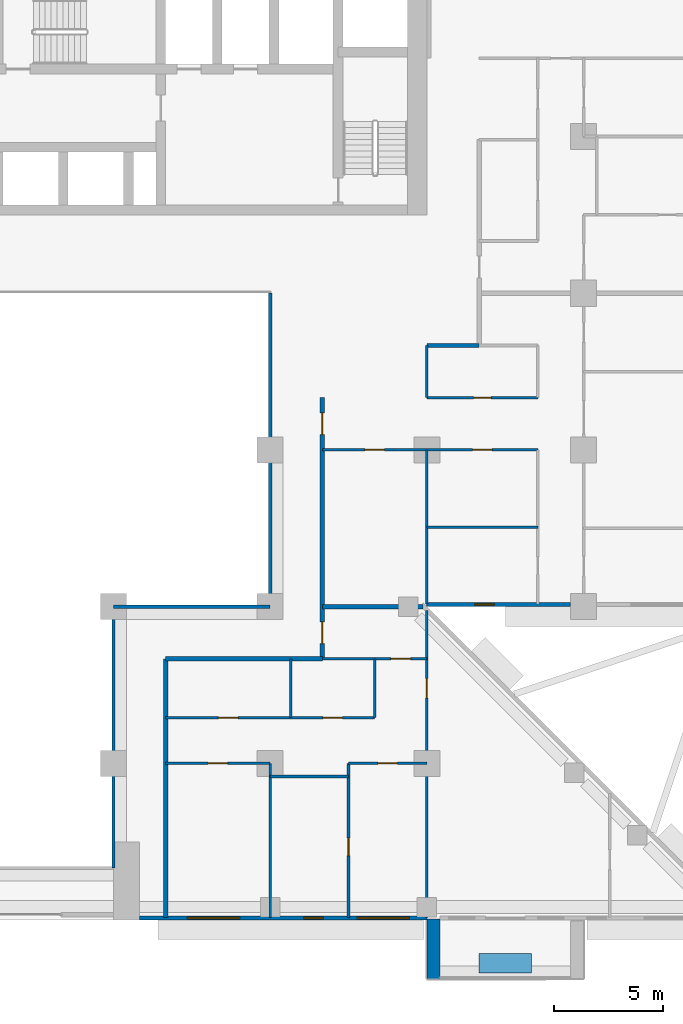
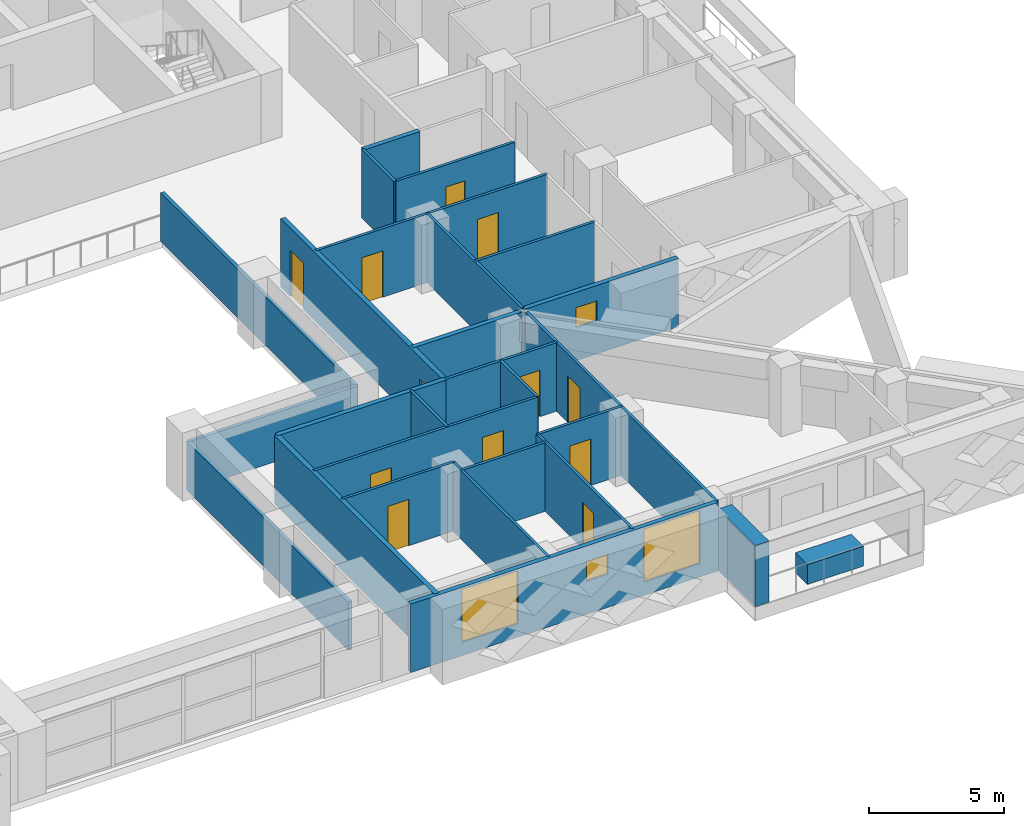
# One storey, part 8 of 17: 27 walls, 12 doors, 4 windows, 16 openings.
"""IFC4 building model written with IfcOpenShell, lengths in metres."""

from ifc_helpers import new_model, si_unit, direction, frame, frame_2d, origin, place, context, subcontext, project, spatial, rectangle, extrude, material, layer, layer_set, type_object, element, fill, save


model = new_model("IFC4")

# Units and contexts
model_context = context("Model", 3, precision=1e-05, world=origin(), true_north=direction((0.0, 1.0)))
body_context = subcontext(model_context, "Body", "Model", "MODEL_VIEW")
ifc_project = project(units=[si_unit("LENGTHUNIT", "METRE"), si_unit("AREAUNIT", "SQUARE_METRE"), si_unit("VOLUMEUNIT", "CUBIC_METRE"), si_unit("PLANEANGLEUNIT", "RADIAN"), si_unit("MASSUNIT", "GRAM", prefix="KILO")], contexts=[model_context])

# Site, building, storey
site_placement = place(None, origin())
site = spatial("IfcSite", under=ifc_project, at=site_placement, CompositionType="ELEMENT")
building_placement = place(site_placement, origin())
building = spatial("IfcBuilding", under=site, at=building_placement, Name="Saffron Iwan Residences", CompositionType="ELEMENT")
storey_placement = place(building_placement, frame((0.0, 0.0, 104.0)))
storey = spatial("IfcBuildingStorey", under=building, at=storey_placement, Name="L27", CompositionType="ELEMENT", Elevation=104.0)

# Walls
ifc_material_1 = material(Name="Fire-rated glazing", Category="glass")
ifc_layer_1 = layer(ifc_material_1, 0.14990234375)
ifc_layer_set_1 = layer_set([ifc_layer_1], Name="Fire-rated glazing")
wall_type_1 = type_object("IfcWallType", Name="Atrium glazed screen 150", PredefinedType="SOLIDWALL", material=ifc_layer_set_1)
wall_1_placement = place(storey_placement, frame((57.60009765625, 48.0, 0.0), z_axis=(0.0, 0.0, 1.0), x_axis=(1.0, 0.0, 0.0)))
element("IfcWall", 1, at=wall_1_placement, inside=storey, type_object=wall_type_1, Name="W-L27-SCREEN-h48-57.6", PredefinedType="SOLIDWALL", context=body_context, shape_type="SweptSolid", body=[
    extrude(rectangle(XDim=7.199951171875, YDim=0.14990234375, at=frame_2d((3.60009765625, 0.0))), origin(), (0.0, 0.0, 1.0), 2.199951171875),
])
wall_2_placement = place(storey_placement, frame((57.60009765625, 36.0, 0.0), z_axis=(0.0, 0.0, 1.0), x_axis=(0.0, 1.0, 0.0)))
element("IfcWall", 2, at=wall_2_placement, inside=storey, type_object=wall_type_1, Name="W-L27-SCREEN-v57.6-36", PredefinedType="SOLIDWALL", context=body_context, shape_type="SweptSolid", body=[
    extrude(rectangle(XDim=12.0, YDim=0.14990234375, at=frame_2d((6.0, 0.0))), origin(), (0.0, 0.0, 1.0), 2.199951171875),
])
wall_3_placement = place(storey_placement, frame((64.800048828125, 48.0, 0.0), z_axis=(0.0, 0.0, 1.0), x_axis=(0.0, 1.0, 0.0)))
element("IfcWall", 3, at=wall_3_placement, inside=storey, type_object=wall_type_1, Name="W-L27-SCREEN-v64.8-48", PredefinedType="SOLIDWALL", context=body_context, shape_type="SweptSolid", body=[
    extrude(rectangle(XDim=14.39990234375, YDim=0.14990234375, at=frame_2d((7.199951171875, 0.0))), origin(), (0.0, 0.0, 1.0), 2.199951171875),
])
ifc_material_2 = material(Name="Concrete C50/60 white painted", Category="concrete")
ifc_layer_2 = layer(ifc_material_2, 0.60009765625)
ifc_layer_set_2 = layer_set([ifc_layer_2], Name="Concrete C50/60 white painted")
wall_type_2 = type_object("IfcWallType", Name="BALCONY FIN 600", PredefinedType="SOLIDWALL", material=ifc_layer_set_2)
wall_4_placement = place(storey_placement, frame((72.300048828125, 33.64990234375, 0.0), z_axis=(0.0, 0.0, 1.0), x_axis=(0.0, -1.0, 0.0)))
element("IfcWall", 4, at=wall_4_placement, inside=storey, type_object=wall_type_2, Name="Balcony fin L27 11-1a", PredefinedType="SOLIDWALL", context=body_context, shape_type="SweptSolid", body=[
    extrude(rectangle(XDim=2.75, YDim=0.60009765625, at=frame_2d((1.375, 0.0))), origin(), (0.0, 0.0, 1.0), 2.77001953125),
])
ifc_material_3 = material(Name="Concrete C35/45 white painted", Category="concrete")
ifc_layer_3 = layer(ifc_material_3, 0.14990234375)
ifc_layer_set_3 = layer_set([ifc_layer_3], Name="Concrete C35/45 white painted")
wall_type_3 = type_object("IfcWallType", Name="BALCONY PLANTER", PredefinedType="SOLIDWALL", material=ifc_layer_set_3)
wall_5_placement = place(storey_placement, frame((74.39990234375, 31.625, 0.0), z_axis=(0.0, 0.0, 1.0), x_axis=(1.0, 0.0, 0.0)))
element("IfcWall", 5, at=wall_5_placement, inside=storey, type_object=wall_type_3, Name="PLANTER L27 11-1", PredefinedType="SOLIDWALL", context=body_context, shape_type="SweptSolid", body=[
    extrude(rectangle(XDim=2.400146484375, YDim=0.89990234375, at=frame_2d((1.2001953125, 0.0))), origin(), (0.0, 0.0, 1.0), 0.89990234375),
])

# Wall, opening, window
ifc_material_4 = material(Name="Concrete C40/50", Category="concrete")
ifc_layer_4 = layer(ifc_material_4, 0.199951171875)
ifc_layer_set_4 = layer_set([ifc_layer_4], Name="Concrete C40/50")
wall_type_4 = type_object("IfcWallType", Name="EXTERNAL WALL 200", PredefinedType="SOLIDWALL", material=ifc_layer_set_4)
wall_6_placement = place(storey_placement, frame((71.988525390625, 48.10009765625, 0.0), z_axis=(0.0, 0.0, 1.0), x_axis=(1.0, 0.0, 0.0)))
wall_6 = element("IfcWall", 6, at=wall_6_placement, inside=storey, type_object=wall_type_4, Name="External wall L27 F1.0", PredefinedType="SOLIDWALL", context=body_context, shape_type="SweptSolid", body=[
    extrude(rectangle(XDim=6.611572265625, YDim=0.199951171875, at=frame_2d((3.3056640625, 0.0))), origin(), (0.0, 0.0, 1.0), 3.10009765625),
])
opening_1_placement = place(wall_6_placement, frame((2.205810546875, 0.0, 1.5)))
opening_1 = element("IfcOpeningElement", 7, at=opening_1_placement, cuts=wall_6, Name="Opening W6", PredefinedType="OPENING", context=body_context, shape_type="SweptSolid", body=[
    extrude(rectangle(XDim=0.89990234375, YDim=0.89990234375, at=frame_2d((0.449951171875, 0.449951171875))), frame((0.0, 0.10986328125, 0.0), z_axis=(0.0, -1.0, 0.0), x_axis=(1.0, 0.0, 0.0)), (0.0, 0.0, 1.0), 0.219970703125),
])
ifc_material_5 = material(Name="Clear glass, laminated double glazed", Category="glass")
window_type_1 = type_object("IfcWindowType", Name="WINDOW 900 x 900 BATH", PartitioningType="SINGLE_PANEL", PredefinedType="WINDOW", material=ifc_material_5)
window_1_placement = place(opening_1_placement, origin())
window_1 = element("IfcWindow", 8, at=window_1_placement, inside=storey, type_object=window_type_1, Name="Window L27 F1.0", OverallHeight=0.89990234375, OverallWidth=0.89990234375, PartitioningType="SINGLE_PANEL", PredefinedType="WINDOW", context=body_context, shape_type="SweptSolid", body=[
    extrude(rectangle(XDim=0.89990234375, YDim=0.89990234375, at=frame_2d((0.449951171875, 0.449951171875))), frame((0.0, 0.030029296875, 0.0), z_axis=(0.0, -1.0, 0.0), x_axis=(1.0, 0.0, 0.0)), (0.0, 0.0, 1.0), 0.06005859375),
])
fill(opening_1, window_1)

# Wall, openings, windows
wall_7_placement = place(storey_placement, frame((58.800048828125, 33.699951171875, 0.0), z_axis=(0.0, 0.0, 1.0), x_axis=(1.0, 0.0, 0.0)))
wall_7 = element("IfcWall", 9, at=wall_7_placement, inside=storey, type_object=wall_type_4, Name="External wall L27 F11.3", PredefinedType="SOLIDWALL", context=body_context, shape_type="SweptSolid", body=[
    extrude(rectangle(XDim=13.199951171875, YDim=0.199951171875, at=frame_2d((6.60009765625, 0.0))), origin(), (0.0, 0.0, 1.0), 3.10009765625),
])
opening_2_placement = place(wall_7_placement, frame((10.0, 0.0, 0.60009765625)))
opening_2 = element("IfcOpeningElement", 10, at=opening_2_placement, cuts=wall_7, Name="Opening W1", PredefinedType="OPENING", context=body_context, shape_type="SweptSolid", body=[
    extrude(rectangle(XDim=2.39990234375, YDim=2.39990234375, at=frame_2d((1.199951171875, 1.199951171875))), frame((0.0, 0.10986328125, 0.0), z_axis=(0.0, -1.0, 0.0), x_axis=(1.0, 0.0, 0.0)), (0.0, 0.0, 1.0), 0.219970703125),
])
opening_3_placement = place(wall_7_placement, frame((7.550048828125, 0.0, 1.5)))
opening_3 = element("IfcOpeningElement", 11, at=opening_3_placement, cuts=wall_7, Name="Opening W6", PredefinedType="OPENING", context=body_context, shape_type="SweptSolid", body=[
    extrude(rectangle(XDim=0.89990234375, YDim=0.89990234375, at=frame_2d((0.449951171875, 0.449951171875))), frame((0.0, 0.10986328125, 0.0), z_axis=(0.0, -1.0, 0.0), x_axis=(1.0, 0.0, 0.0)), (0.0, 0.0, 1.0), 0.219970703125),
])
opening_4_placement = place(wall_7_placement, frame((2.199951171875, 0.0, 0.60009765625)))
opening_4 = element("IfcOpeningElement", 12, at=opening_4_placement, cuts=wall_7, Name="Opening W1", PredefinedType="OPENING", context=body_context, shape_type="SweptSolid", body=[
    extrude(rectangle(XDim=2.39990234375, YDim=2.39990234375, at=frame_2d((1.199951171875, 1.199951171875))), frame((0.0, 0.10986328125, 0.0), z_axis=(0.0, -1.0, 0.0), x_axis=(1.0, 0.0, 0.0)), (0.0, 0.0, 1.0), 0.219970703125),
])
window_type_2 = type_object("IfcWindowType", Name="WINDOW 2400 x 2400", PartitioningType="DOUBLE_PANEL_VERTICAL", PredefinedType="WINDOW", material=ifc_material_5)
window_2_placement = place(opening_2_placement, origin())
window_2 = element("IfcWindow", 13, at=window_2_placement, inside=storey, type_object=window_type_2, Name="Window L27 F11.0", OverallHeight=2.39990234375, OverallWidth=2.39990234375, PartitioningType="DOUBLE_PANEL_VERTICAL", PredefinedType="WINDOW", context=body_context, shape_type="SweptSolid", body=[
    extrude(rectangle(XDim=2.39990234375, YDim=2.39990234375, at=frame_2d((1.199951171875, 1.199951171875))), frame((0.0, 0.030029296875, 0.0), z_axis=(0.0, -1.0, 0.0), x_axis=(1.0, 0.0, 0.0)), (0.0, 0.0, 1.0), 0.06005859375),
])
fill(opening_2, window_2)
window_3_placement = place(opening_4_placement, origin())
window_3 = element("IfcWindow", 14, at=window_3_placement, inside=storey, type_object=window_type_2, Name="Window L27 F11.2", OverallHeight=2.39990234375, OverallWidth=2.39990234375, PartitioningType="DOUBLE_PANEL_VERTICAL", PredefinedType="WINDOW", context=body_context, shape_type="SweptSolid", body=[
    extrude(rectangle(XDim=2.39990234375, YDim=2.39990234375, at=frame_2d((1.199951171875, 1.199951171875))), frame((0.0, 0.030029296875, 0.0), z_axis=(0.0, -1.0, 0.0), x_axis=(1.0, 0.0, 0.0)), (0.0, 0.0, 1.0), 0.06005859375),
])
fill(opening_4, window_3)
window_4_placement = place(opening_3_placement, origin())
window_4 = element("IfcWindow", 15, at=window_4_placement, inside=storey, type_object=window_type_1, Name="Window L27 F11.1", OverallHeight=0.89990234375, OverallWidth=0.89990234375, PartitioningType="SINGLE_PANEL", PredefinedType="WINDOW", context=body_context, shape_type="SweptSolid", body=[
    extrude(rectangle(XDim=0.89990234375, YDim=0.89990234375, at=frame_2d((0.449951171875, 0.449951171875))), frame((0.0, 0.030029296875, 0.0), z_axis=(0.0, -1.0, 0.0), x_axis=(1.0, 0.0, 0.0)), (0.0, 0.0, 1.0), 0.06005859375),
])
fill(opening_3, window_4)

# Walls
ifc_material_6 = material(Name="Fire-rated gypsum board wall")
ifc_layer_5 = layer(ifc_material_6, 0.199951171875)
ifc_layer_set_5 = layer_set([ifc_layer_5], Name="Fire-rated gypsum board wall")
wall_type_5 = type_object("IfcWallType", Name="Flat demising wall 200", PredefinedType="SOLIDWALL", material=ifc_layer_set_5)
wall_8_placement = place(storey_placement, frame((67.199951171875, 48.0, 0.0), z_axis=(0.0, 0.0, 1.0), x_axis=(1.0, 0.0, 0.0)))
element("IfcWall", 16, at=wall_8_placement, inside=storey, type_object=wall_type_5, Name="W-L27-DEMISE-h48-67.2", PredefinedType="SOLIDWALL", context=body_context, shape_type="SweptSolid", body=[
    extrude(rectangle(XDim=4.623046875, YDim=0.199951171875, at=frame_2d((2.3115234375, 0.0))), origin(), (0.0, 0.0, 1.0), 3.10009765625),
])
ifc_material_7 = material(Name="Gypsum board partition")
ifc_layer_6 = layer(ifc_material_7, 0.1201171875)
ifc_layer_set_6 = layer_set([ifc_layer_6], Name="Gypsum board partition")
wall_type_6 = type_object("IfcWallType", Name="Flat partition 120", PredefinedType="PARTITIONING", material=ifc_layer_set_6)
wall_9_placement = place(storey_placement, frame((64.800048828125, 40.199951171875, 0.0), z_axis=(0.0, 0.0, 1.0), x_axis=(1.0, 0.0, 0.0)))
element("IfcWall", 17, at=wall_9_placement, inside=storey, type_object=wall_type_6, Name="W-L27-PART-h40.2-64.8", PredefinedType="PARTITIONING", context=body_context, shape_type="SweptSolid", body=[
    extrude(rectangle(XDim=3.599853515625, YDim=0.1201171875, at=frame_2d((1.7998046875, 0.0))), origin(), (0.0, 0.0, 1.0), 3.10009765625),
])

# Wall, opening, door
wall_10_placement = place(storey_placement, frame((60.0, 40.800048828125, 0.0), z_axis=(0.0, 0.0, 1.0), x_axis=(1.0, 0.0, 0.0)))
wall_10 = element("IfcWall", 18, at=wall_10_placement, inside=storey, type_object=wall_type_6, Name="W-L27-PART-h40.8-60", PredefinedType="PARTITIONING", context=body_context, shape_type="SweptSolid", body=[
    extrude(rectangle(XDim=4.800048828125, YDim=0.1201171875, at=frame_2d((2.39990234375, 0.0))), origin(), (0.0, 0.0, 1.0), 3.10009765625),
])
opening_5_placement = place(wall_10_placement, frame((1.949951171875, 0.0, 0.0)))
opening_5 = element("IfcOpeningElement", 19, at=opening_5_placement, cuts=wall_10, Name="Opening FD2", PredefinedType="OPENING", context=body_context, shape_type="SweptSolid", body=[
    extrude(rectangle(XDim=0.89990234375, YDim=2.10009765625, at=frame_2d((0.449951171875, 1.050048828125))), frame((0.0, 0.070068359375, 0.0), z_axis=(0.0, -1.0, 0.0), x_axis=(1.0, 0.0, 0.0)), (0.0, 0.0, 1.0), 0.14013671875),
])
ifc_material_8 = material(Name="Timber door", Category="wood")
door_type_1 = type_object("IfcDoorType", Name="Flat door 900", OperationType="NOTDEFINED", PredefinedType="DOOR", material=ifc_material_8)
door_1_placement = place(opening_5_placement, origin())
door_1 = element("IfcDoor", 20, at=door_1_placement, inside=storey, type_object=door_type_1, Name="Door L27-046", OperationType="SINGLE_SWING_RIGHT", OverallHeight=2.10009765625, OverallWidth=0.89990234375, PredefinedType="DOOR", context=body_context, shape_type="SweptSolid", body=[
    extrude(rectangle(XDim=0.89990234375, YDim=2.10009765625, at=frame_2d((0.449951171875, 1.050048828125))), frame((0.0, 0.02490234375, 0.0), z_axis=(0.0, -1.0, 0.0), x_axis=(1.0, 0.0, 0.0)), (0.0, 0.0, 1.0), 0.050048828125),
])
fill(opening_5, door_1)

wall_11_placement = place(storey_placement, frame((68.39990234375, 40.800048828125, 0.0), z_axis=(0.0, 0.0, 1.0), x_axis=(1.0, 0.0, 0.0)))
wall_11 = element("IfcWall", 21, at=wall_11_placement, inside=storey, type_object=wall_type_6, Name="W-L27-PART-h40.8-68.4", PredefinedType="PARTITIONING", context=body_context, shape_type="SweptSolid", body=[
    extrude(rectangle(XDim=3.60009765625, YDim=0.1201171875, at=frame_2d((1.800048828125, 0.0))), origin(), (0.0, 0.0, 1.0), 3.10009765625),
])
opening_6_placement = place(wall_11_placement, frame((1.35009765625, 0.0, 0.0)))
opening_6 = element("IfcOpeningElement", 22, at=opening_6_placement, cuts=wall_11, Name="Opening FD2", PredefinedType="OPENING", context=body_context, shape_type="SweptSolid", body=[
    extrude(rectangle(XDim=0.89990234375, YDim=2.10009765625, at=frame_2d((0.449951171875, 1.050048828125))), frame((0.0, 0.070068359375, 0.0), z_axis=(0.0, -1.0, 0.0), x_axis=(1.0, 0.0, 0.0)), (0.0, 0.0, 1.0), 0.14013671875),
])
door_2_placement = place(opening_6_placement, origin())
door_2 = element("IfcDoor", 23, at=door_2_placement, inside=storey, type_object=door_type_1, Name="Door L27-044", OperationType="SINGLE_SWING_LEFT", OverallHeight=2.10009765625, OverallWidth=0.89990234375, PredefinedType="DOOR", context=body_context, shape_type="SweptSolid", body=[
    extrude(rectangle(XDim=0.89990234375, YDim=2.10009765625, at=frame_2d((0.449951171875, 1.050048828125))), frame((0.0, 0.02490234375, 0.0), z_axis=(0.0, -1.0, 0.0), x_axis=(1.0, 0.0, 0.0)), (0.0, 0.0, 1.0), 0.050048828125),
])
fill(opening_6, door_2)

# Wall, openings, doors
wall_12_placement = place(storey_placement, frame((60.0, 42.89990234375, 0.0), z_axis=(0.0, 0.0, 1.0), x_axis=(1.0, 0.0, 0.0)))
wall_12 = element("IfcWall", 24, at=wall_12_placement, inside=storey, type_object=wall_type_6, Name="W-L27-PART-h42.9-60", PredefinedType="PARTITIONING", context=body_context, shape_type="SweptSolid", body=[
    extrude(rectangle(XDim=9.60009765625, YDim=0.1201171875, at=frame_2d((4.800048828125, 0.0))), origin(), (0.0, 0.0, 1.0), 3.10009765625),
])
opening_7_placement = place(wall_12_placement, frame((7.22509765625, 0.0, 0.0)))
opening_7 = element("IfcOpeningElement", 25, at=opening_7_placement, cuts=wall_12, Name="Opening FD2", PredefinedType="OPENING", context=body_context, shape_type="SweptSolid", body=[
    extrude(rectangle(XDim=0.89990234375, YDim=2.10009765625, at=frame_2d((0.449951171875, 1.050048828125))), frame((0.0, 0.070068359375, 0.0), z_axis=(0.0, -1.0, 0.0), x_axis=(1.0, 0.0, 0.0)), (0.0, 0.0, 1.0), 0.14013671875),
])
opening_8_placement = place(wall_12_placement, frame((2.425048828125, 0.0, 0.0)))
opening_8 = element("IfcOpeningElement", 26, at=opening_8_placement, cuts=wall_12, Name="Opening FD2", PredefinedType="OPENING", context=body_context, shape_type="SweptSolid", body=[
    extrude(rectangle(XDim=0.89990234375, YDim=2.10009765625, at=frame_2d((0.449951171875, 1.050048828125))), frame((0.0, 0.070068359375, 0.0), z_axis=(0.0, -1.0, 0.0), x_axis=(1.0, 0.0, 0.0)), (0.0, 0.0, 1.0), 0.14013671875),
])
door_3_placement = place(opening_7_placement, origin())
door_3 = element("IfcDoor", 27, at=door_3_placement, inside=storey, type_object=door_type_1, Name="Door L27-047", OperationType="SINGLE_SWING_LEFT", OverallHeight=2.10009765625, OverallWidth=0.89990234375, PredefinedType="DOOR", context=body_context, shape_type="SweptSolid", body=[
    extrude(rectangle(XDim=0.89990234375, YDim=2.10009765625, at=frame_2d((0.449951171875, 1.050048828125))), frame((0.0, 0.02490234375, 0.0), z_axis=(0.0, -1.0, 0.0), x_axis=(1.0, 0.0, 0.0)), (0.0, 0.0, 1.0), 0.050048828125),
])
fill(opening_7, door_3)
door_4_placement = place(opening_8_placement, origin())
door_4 = element("IfcDoor", 28, at=door_4_placement, inside=storey, type_object=door_type_1, Name="Door L27-048", OperationType="SINGLE_SWING_LEFT", OverallHeight=2.10009765625, OverallWidth=0.89990234375, PredefinedType="DOOR", context=body_context, shape_type="SweptSolid", body=[
    extrude(rectangle(XDim=0.89990234375, YDim=2.10009765625, at=frame_2d((0.449951171875, 1.050048828125))), frame((0.0, 0.02490234375, 0.0), z_axis=(0.0, -1.0, 0.0), x_axis=(1.0, 0.0, 0.0)), (0.0, 0.0, 1.0), 0.050048828125),
])
fill(opening_8, door_4)

# Wall, opening, door
wall_13_placement = place(storey_placement, frame((67.199951171875, 45.60009765625, 0.0), z_axis=(0.0, 0.0, 1.0), x_axis=(1.0, 0.0, 0.0)))
wall_13 = element("IfcWall", 29, at=wall_13_placement, inside=storey, type_object=wall_type_6, Name="W-L27-PART-h45.6-67.2", PredefinedType="PARTITIONING", context=body_context, shape_type="SweptSolid", body=[
    extrude(rectangle(XDim=4.800048828125, YDim=0.1201171875, at=frame_2d((2.39990234375, 0.0))), origin(), (0.0, 0.0, 1.0), 3.10009765625),
])
opening_9_placement = place(wall_13_placement, frame((3.14990234375, 0.0, 0.0)))
opening_9 = element("IfcOpeningElement", 30, at=opening_9_placement, cuts=wall_13, Name="Opening FD2", PredefinedType="OPENING", context=body_context, shape_type="SweptSolid", body=[
    extrude(rectangle(XDim=0.89990234375, YDim=2.10009765625, at=frame_2d((0.449951171875, 1.050048828125))), frame((0.0, 0.070068359375, 0.0), z_axis=(0.0, -1.0, 0.0), x_axis=(1.0, 0.0, 0.0)), (0.0, 0.0, 1.0), 0.14013671875),
])
door_5_placement = place(opening_9_placement, origin())
door_5 = element("IfcDoor", 31, at=door_5_placement, inside=storey, type_object=door_type_1, Name="Door L27-042", OperationType="SINGLE_SWING_LEFT", OverallHeight=2.10009765625, OverallWidth=0.89990234375, PredefinedType="DOOR", context=body_context, shape_type="SweptSolid", body=[
    extrude(rectangle(XDim=0.89990234375, YDim=2.10009765625, at=frame_2d((0.449951171875, 1.050048828125))), frame((0.0, 0.02490234375, 0.0), z_axis=(0.0, -1.0, 0.0), x_axis=(1.0, 0.0, 0.0)), (0.0, 0.0, 1.0), 0.050048828125),
])
fill(opening_9, door_5)

# Wall
wall_14_placement = place(storey_placement, frame((72.0, 51.64990234375, 0.0), z_axis=(0.0, 0.0, 1.0), x_axis=(1.0, 0.0, 0.0)))
element("IfcWall", 32, at=wall_14_placement, inside=storey, type_object=wall_type_6, Name="W-L27-PART-h51.65-72", PredefinedType="PARTITIONING", context=body_context, shape_type="SweptSolid", body=[
    extrude(rectangle(XDim=5.10009765625, YDim=0.1201171875, at=frame_2d((2.550048828125, 0.0))), origin(), (0.0, 0.0, 1.0), 3.10009765625),
])

# Wall, openings, doors
wall_15_placement = place(storey_placement, frame((67.199951171875, 55.199951171875, 0.0), z_axis=(0.0, 0.0, 1.0), x_axis=(1.0, 0.0, 0.0)))
wall_15 = element("IfcWall", 33, at=wall_15_placement, inside=storey, type_object=wall_type_6, Name="W-L27-PART-h55.2-67.2", PredefinedType="PARTITIONING", context=body_context, shape_type="SweptSolid", body=[
    extrude(rectangle(XDim=9.900146484375, YDim=0.1201171875, at=frame_2d((4.9501953125, 0.0))), origin(), (0.0, 0.0, 1.0), 3.10009765625),
])
opening_10_placement = place(wall_15_placement, frame((6.89990234375, 0.0, 0.0)))
opening_10 = element("IfcOpeningElement", 34, at=opening_10_placement, cuts=wall_15, Name="Opening FD2", PredefinedType="OPENING", context=body_context, shape_type="SweptSolid", body=[
    extrude(rectangle(XDim=0.89990234375, YDim=2.10009765625, at=frame_2d((0.449951171875, 1.050048828125))), frame((0.0, 0.070068359375, 0.0), z_axis=(0.0, -1.0, 0.0), x_axis=(1.0, 0.0, 0.0)), (0.0, 0.0, 1.0), 0.14013671875),
])
opening_11_placement = place(wall_15_placement, frame((1.949951171875, 0.0, 0.0)))
opening_11 = element("IfcOpeningElement", 35, at=opening_11_placement, cuts=wall_15, Name="Opening FD2", PredefinedType="OPENING", context=body_context, shape_type="SweptSolid", body=[
    extrude(rectangle(XDim=0.89990234375, YDim=2.10009765625, at=frame_2d((0.449951171875, 1.050048828125))), frame((0.0, 0.070068359375, 0.0), z_axis=(0.0, -1.0, 0.0), x_axis=(1.0, 0.0, 0.0)), (0.0, 0.0, 1.0), 0.14013671875),
])
door_6_placement = place(opening_10_placement, origin())
door_6 = element("IfcDoor", 36, at=door_6_placement, inside=storey, type_object=door_type_1, Name="Door L27-025", OperationType="SINGLE_SWING_RIGHT", OverallHeight=2.10009765625, OverallWidth=0.89990234375, PredefinedType="DOOR", context=body_context, shape_type="SweptSolid", body=[
    extrude(rectangle(XDim=0.89990234375, YDim=2.10009765625, at=frame_2d((0.449951171875, 1.050048828125))), frame((0.0, 0.02490234375, 0.0), z_axis=(0.0, -1.0, 0.0), x_axis=(1.0, 0.0, 0.0)), (0.0, 0.0, 1.0), 0.050048828125),
])
fill(opening_10, door_6)
door_7_placement = place(opening_11_placement, origin())
door_7 = element("IfcDoor", 37, at=door_7_placement, inside=storey, type_object=door_type_1, Name="Door L27-027", OperationType="SINGLE_SWING_LEFT", OverallHeight=2.10009765625, OverallWidth=0.89990234375, PredefinedType="DOOR", context=body_context, shape_type="SweptSolid", body=[
    extrude(rectangle(XDim=0.89990234375, YDim=2.10009765625, at=frame_2d((0.449951171875, 1.050048828125))), frame((0.0, 0.02490234375, 0.0), z_axis=(0.0, -1.0, 0.0), x_axis=(1.0, 0.0, 0.0)), (0.0, 0.0, 1.0), 0.050048828125),
])
fill(opening_11, door_7)

# Wall, opening, door
wall_16_placement = place(storey_placement, frame((72.0, 57.60009765625, 0.0), z_axis=(0.0, 0.0, 1.0), x_axis=(1.0, 0.0, 0.0)))
wall_16 = element("IfcWall", 38, at=wall_16_placement, inside=storey, type_object=wall_type_6, Name="W-L27-PART-h57.6-72", PredefinedType="PARTITIONING", context=body_context, shape_type="SweptSolid", body=[
    extrude(rectangle(XDim=5.10009765625, YDim=0.1201171875, at=frame_2d((2.550048828125, 0.0))), origin(), (0.0, 0.0, 1.0), 3.10009765625),
])
opening_12_placement = place(wall_16_placement, frame((2.14990234375, 0.0, 0.0)))
opening_12 = element("IfcOpeningElement", 39, at=opening_12_placement, cuts=wall_16, Name="Opening FD3", PredefinedType="OPENING", context=body_context, shape_type="SweptSolid", body=[
    extrude(rectangle(XDim=0.800048828125, YDim=2.10009765625, at=frame_2d((0.39990234375, 1.050048828125))), frame((0.0, 0.070068359375, 0.0), z_axis=(0.0, -1.0, 0.0), x_axis=(1.0, 0.0, 0.0)), (0.0, 0.0, 1.0), 0.14013671875),
])
door_type_2 = type_object("IfcDoorType", Name="Bathroom door 800", OperationType="NOTDEFINED", PredefinedType="DOOR", material=ifc_material_8)
door_8_placement = place(opening_12_placement, origin())
door_8 = element("IfcDoor", 40, at=door_8_placement, inside=storey, type_object=door_type_2, Name="Door L27-026", OperationType="SINGLE_SWING_LEFT", OverallHeight=2.10009765625, OverallWidth=0.800048828125, PredefinedType="DOOR", context=body_context, shape_type="SweptSolid", body=[
    extrude(rectangle(XDim=0.800048828125, YDim=2.10009765625, at=frame_2d((0.39990234375, 1.050048828125))), frame((0.0, 0.02490234375, 0.0), z_axis=(0.0, -1.0, 0.0), x_axis=(1.0, 0.0, 0.0)), (0.0, 0.0, 1.0), 0.050048828125),
])
fill(opening_12, door_8)

# Walls
wall_17_placement = place(storey_placement, frame((64.800048828125, 33.72509765625, 0.0), z_axis=(0.0, 0.0, 1.0), x_axis=(0.0, 1.0, 0.0)))
element("IfcWall", 41, at=wall_17_placement, inside=storey, type_object=wall_type_6, Name="W-L27-PART-v64.8-33.725", PredefinedType="PARTITIONING", context=body_context, shape_type="SweptSolid", body=[
    extrude(rectangle(XDim=7.074951171875, YDim=0.1201171875, at=frame_2d((3.53759765625, 0.0))), origin(), (0.0, 0.0, 1.0), 3.10009765625),
])
wall_18_placement = place(storey_placement, frame((65.75, 42.89990234375, 0.0), z_axis=(0.0, 0.0, 1.0), x_axis=(0.0, 1.0, 0.0)))
element("IfcWall", 42, at=wall_18_placement, inside=storey, type_object=wall_type_6, Name="W-L27-PART-v65.75-42.9", PredefinedType="PARTITIONING", context=body_context, shape_type="SweptSolid", body=[
    extrude(rectangle(XDim=2.7001953125, YDim=0.1201171875, at=frame_2d((1.35009765625, 0.0))), origin(), (0.0, 0.0, 1.0), 3.10009765625),
])

# Wall, opening, door
wall_19_placement = place(storey_placement, frame((68.39990234375, 33.72509765625, 0.0), z_axis=(0.0, 0.0, 1.0), x_axis=(0.0, 1.0, 0.0)))
wall_19 = element("IfcWall", 43, at=wall_19_placement, inside=storey, type_object=wall_type_6, Name="W-L27-PART-v68.4-33.725", PredefinedType="PARTITIONING", context=body_context, shape_type="SweptSolid", body=[
    extrude(rectangle(XDim=7.074951171875, YDim=0.1201171875, at=frame_2d((3.53759765625, 0.0))), origin(), (0.0, 0.0, 1.0), 3.10009765625),
])
opening_13_placement = place(wall_19_placement, frame((2.83740234375, 0.0, 0.0)))
opening_13 = element("IfcOpeningElement", 44, at=opening_13_placement, cuts=wall_19, Name="Opening FD3", PredefinedType="OPENING", context=body_context, shape_type="SweptSolid", body=[
    extrude(rectangle(XDim=0.800048828125, YDim=2.10009765625, at=frame_2d((0.39990234375, 1.050048828125))), frame((0.0, 0.070068359375, 0.0), z_axis=(0.0, -1.0, 0.0), x_axis=(1.0, 0.0, 0.0)), (0.0, 0.0, 1.0), 0.14013671875),
])
door_9_placement = place(opening_13_placement, origin())
door_9 = element("IfcDoor", 45, at=door_9_placement, inside=storey, type_object=door_type_2, Name="Door L27-045", OperationType="SINGLE_SWING_LEFT", OverallHeight=2.10009765625, OverallWidth=0.800048828125, PredefinedType="DOOR", context=body_context, shape_type="SweptSolid", body=[
    extrude(rectangle(XDim=0.800048828125, YDim=2.10009765625, at=frame_2d((0.39990234375, 1.050048828125))), frame((0.0, 0.02490234375, 0.0), z_axis=(0.0, -1.0, 0.0), x_axis=(1.0, 0.0, 0.0)), (0.0, 0.0, 1.0), 0.050048828125),
])
fill(opening_13, door_9)

# Wall
wall_20_placement = place(storey_placement, frame((69.60009765625, 42.89990234375, 0.0), z_axis=(0.0, 0.0, 1.0), x_axis=(0.0, 1.0, 0.0)))
element("IfcWall", 46, at=wall_20_placement, inside=storey, type_object=wall_type_6, Name="W-L27-PART-v69.6-42.9", PredefinedType="PARTITIONING", context=body_context, shape_type="SweptSolid", body=[
    extrude(rectangle(XDim=2.7001953125, YDim=0.1201171875, at=frame_2d((1.35009765625, 0.0))), origin(), (0.0, 0.0, 1.0), 3.10009765625),
])

# Wall, opening, door
wall_21_placement = place(storey_placement, frame((72.0, 33.72509765625, 0.0), z_axis=(0.0, 0.0, 1.0), x_axis=(0.0, 1.0, 0.0)))
wall_21 = element("IfcWall", 47, at=wall_21_placement, inside=storey, type_object=wall_type_6, Name="W-L27-PART-v72-33.725", PredefinedType="PARTITIONING", context=body_context, shape_type="SweptSolid", body=[
    extrude(rectangle(XDim=14.097900390625, YDim=0.1201171875, at=frame_2d((7.048828125, 0.0))), origin(), (0.0, 0.0, 1.0), 3.10009765625),
])
opening_14_placement = place(wall_21_placement, frame((10.074951171875, 0.0, 0.0)))
opening_14 = element("IfcOpeningElement", 48, at=opening_14_placement, cuts=wall_21, Name="Opening FD2", PredefinedType="OPENING", context=body_context, shape_type="SweptSolid", body=[
    extrude(rectangle(XDim=0.89990234375, YDim=2.10009765625, at=frame_2d((0.449951171875, 1.050048828125))), frame((0.0, 0.070068359375, 0.0), z_axis=(0.0, -1.0, 0.0), x_axis=(1.0, 0.0, 0.0)), (0.0, 0.0, 1.0), 0.14013671875),
])
door_10_placement = place(opening_14_placement, origin())
door_10 = element("IfcDoor", 49, at=door_10_placement, inside=storey, type_object=door_type_1, Name="Door L27-049", OperationType="SINGLE_SWING_RIGHT", OverallHeight=2.10009765625, OverallWidth=0.89990234375, PredefinedType="DOOR", context=body_context, shape_type="SweptSolid", body=[
    extrude(rectangle(XDim=0.89990234375, YDim=2.10009765625, at=frame_2d((0.449951171875, 1.050048828125))), frame((0.0, 0.02490234375, 0.0), z_axis=(0.0, -1.0, 0.0), x_axis=(1.0, 0.0, 0.0)), (0.0, 0.0, 1.0), 0.050048828125),
])
fill(opening_14, door_10)

# Walls
wall_22_placement = place(storey_placement, frame((72.0, 48.125, 0.0), z_axis=(0.0, 0.0, 1.0), x_axis=(0.0, 1.0, 0.0)))
element("IfcWall", 50, at=wall_22_placement, inside=storey, type_object=wall_type_6, Name="W-L27-PART-v72-48.125", PredefinedType="PARTITIONING", context=body_context, shape_type="SweptSolid", body=[
    extrude(rectangle(XDim=7.074951171875, YDim=0.1201171875, at=frame_2d((3.53759765625, 0.0))), origin(), (0.0, 0.0, 1.0), 3.10009765625),
])
wall_23_placement = place(storey_placement, frame((72.0, 57.60009765625, 0.0), z_axis=(0.0, 0.0, 1.0), x_axis=(0.0, 1.0, 0.0)))
element("IfcWall", 51, at=wall_23_placement, inside=storey, type_object=wall_type_6, Name="W-L27-PART-v72-57.6", PredefinedType="PARTITIONING", context=body_context, shape_type="SweptSolid", body=[
    extrude(rectangle(XDim=2.39990234375, YDim=0.1201171875, at=frame_2d((1.199951171875, 0.0))), origin(), (0.0, 0.0, 1.0), 3.10009765625),
])
ifc_layer_7 = layer(ifc_material_6, 0.199951171875)
ifc_layer_set_7 = layer_set([ifc_layer_7], Name="Fire-rated gypsum board wall")
wall_type_7 = type_object("IfcWallType", Name="Gallery wall 200", PredefinedType="SOLIDWALL", material=ifc_layer_set_7)
wall_24_placement = place(storey_placement, frame((60.0, 45.60009765625, 0.0), z_axis=(0.0, 0.0, 1.0), x_axis=(1.0, 0.0, 0.0)))
element("IfcWall", 52, at=wall_24_placement, inside=storey, type_object=wall_type_7, Name="W-L27-CORR-h45.6-60", PredefinedType="SOLIDWALL", context=body_context, shape_type="SweptSolid", body=[
    extrude(rectangle(XDim=7.199951171875, YDim=0.199951171875, at=frame_2d((3.60009765625, 0.0))), origin(), (0.0, 0.0, 1.0), 3.10009765625),
])
wall_25_placement = place(storey_placement, frame((72.0, 60.0, 0.0), z_axis=(0.0, 0.0, 1.0), x_axis=(1.0, 0.0, 0.0)))
element("IfcWall", 53, at=wall_25_placement, inside=storey, type_object=wall_type_7, Name="W-L27-CORR-h60-72", PredefinedType="SOLIDWALL", context=body_context, shape_type="SweptSolid", body=[
    extrude(rectangle(XDim=2.39990234375, YDim=0.199951171875, at=frame_2d((1.199951171875, 0.0))), origin(), (0.0, 0.0, 1.0), 3.10009765625),
])
wall_26_placement = place(storey_placement, frame((60.0, 33.72509765625, 0.0), z_axis=(0.0, 0.0, 1.0), x_axis=(0.0, 1.0, 0.0)))
element("IfcWall", 54, at=wall_26_placement, inside=storey, type_object=wall_type_7, Name="W-L27-CORR-v60-33.725", PredefinedType="SOLIDWALL", context=body_context, shape_type="SweptSolid", body=[
    extrude(rectangle(XDim=11.875, YDim=0.199951171875, at=frame_2d((5.9375, 0.0))), origin(), (0.0, 0.0, 1.0), 3.10009765625),
])

# Wall, openings, doors
wall_27_placement = place(storey_placement, frame((67.199951171875, 45.60009765625, 0.0), z_axis=(0.0, 0.0, 1.0), x_axis=(0.0, 1.0, 0.0)))
wall_27 = element("IfcWall", 55, at=wall_27_placement, inside=storey, type_object=wall_type_7, Name="W-L27-CORR-v67.2-45.6", PredefinedType="SOLIDWALL", context=body_context, shape_type="SweptSolid", body=[
    extrude(rectangle(XDim=12.0, YDim=0.199951171875, at=frame_2d((6.0, 0.0))), origin(), (0.0, 0.0, 1.0), 3.10009765625),
])
opening_15_placement = place(wall_27_placement, frame((10.300048828125, 0.0, 0.0)))
opening_15 = element("IfcOpeningElement", 56, at=opening_15_placement, cuts=wall_27, Name="Opening FD1", PredefinedType="OPENING", context=body_context, shape_type="SweptSolid", body=[
    extrude(rectangle(XDim=1.0, YDim=2.10009765625, at=frame_2d((0.5, 1.050048828125))), frame((0.0, 0.10986328125, 0.0), z_axis=(0.0, -1.0, 0.0), x_axis=(1.0, 0.0, 0.0)), (0.0, 0.0, 1.0), 0.219970703125),
])
opening_16_placement = place(wall_27_placement, frame((0.699951171875, 0.0, 0.0)))
opening_16 = element("IfcOpeningElement", 57, at=opening_16_placement, cuts=wall_27, Name="Opening FD5", PredefinedType="OPENING", context=body_context, shape_type="SweptSolid", body=[
    extrude(rectangle(XDim=1.0, YDim=2.10009765625, at=frame_2d((0.5, 1.050048828125))), frame((0.0, 0.10986328125, 0.0), z_axis=(0.0, -1.0, 0.0), x_axis=(1.0, 0.0, 0.0)), (0.0, 0.0, 1.0), 0.219970703125),
])
ifc_material_9 = material(Name="Fire-rated timber door", Category="wood")
door_type_3 = type_object("IfcDoorType", Name="FD30S flat entrance door 1000", OperationType="NOTDEFINED", PredefinedType="DOOR", material=ifc_material_9)
door_11_placement = place(opening_15_placement, origin())
door_11 = element("IfcDoor", 58, at=door_11_placement, inside=storey, type_object=door_type_3, Name="Door L27-020", OperationType="SINGLE_SWING_LEFT", OverallHeight=2.10009765625, OverallWidth=1.0, PredefinedType="DOOR", context=body_context, shape_type="SweptSolid", body=[
    extrude(rectangle(XDim=1.0, YDim=2.10009765625, at=frame_2d((0.5, 1.050048828125))), frame((0.0, 0.02490234375, 0.0), z_axis=(0.0, -1.0, 0.0), x_axis=(1.0, 0.0, 0.0)), (0.0, 0.0, 1.0), 0.050048828125),
])
fill(opening_15, door_11)
door_type_4 = type_object("IfcDoorType", Name="Lobby door 1000", OperationType="NOTDEFINED", PredefinedType="DOOR", material=ifc_material_9)
door_12_placement = place(opening_16_placement, origin())
door_12 = element("IfcDoor", 59, at=door_12_placement, inside=storey, type_object=door_type_4, Name="Door L27-043", OperationType="SINGLE_SWING_RIGHT", OverallHeight=2.10009765625, OverallWidth=1.0, PredefinedType="DOOR", context=body_context, shape_type="SweptSolid", body=[
    extrude(rectangle(XDim=1.0, YDim=2.10009765625, at=frame_2d((0.5, 1.050048828125))), frame((0.0, 0.02490234375, 0.0), z_axis=(0.0, -1.0, 0.0), x_axis=(1.0, 0.0, 0.0)), (0.0, 0.0, 1.0), 0.050048828125),
])
fill(opening_16, door_12)

save(model, "model.ifc")
